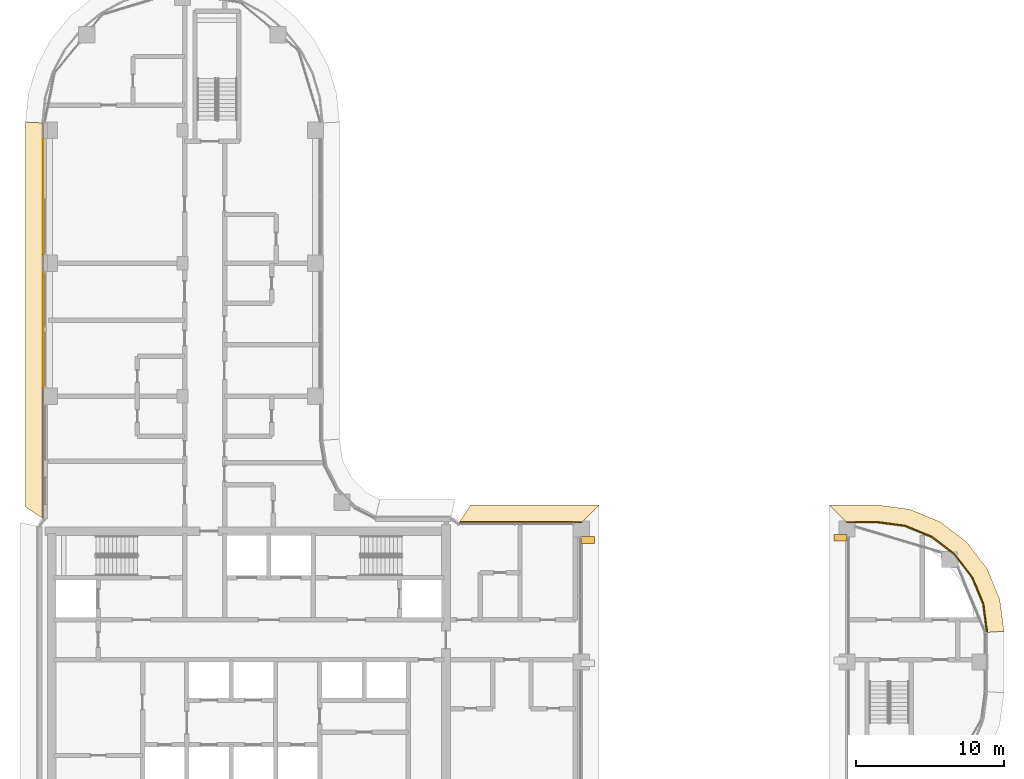
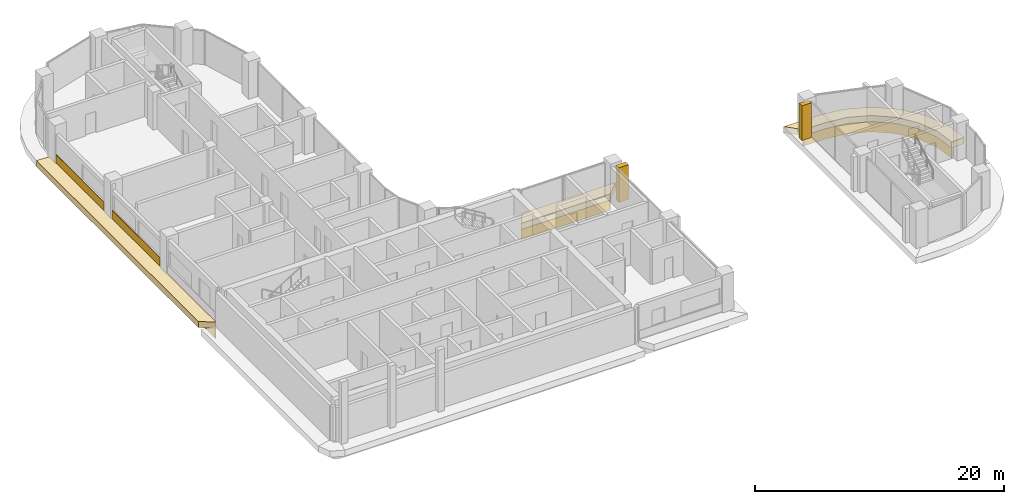
# One storey, part 21 of 24: 10 coverings.
"""IFC4 building model written with IfcOpenShell, lengths in metres."""

from ifc_helpers import new_model, si_unit, direction, frame, origin, origin_2d, place, context, subcontext, project, spatial, polyline, rectangle, outline, extrude, material, layer, layer_set, type_object, element, save


model = new_model("IFC4")

# Units and contexts
model_context = context("Model", 3, precision=1e-05, world=origin(), true_north=direction((0.0, 1.0)))
body_context = subcontext(model_context, "Body", "Model", "MODEL_VIEW")
ifc_project = project(units=[si_unit("LENGTHUNIT", "METRE"), si_unit("AREAUNIT", "SQUARE_METRE"), si_unit("VOLUMEUNIT", "CUBIC_METRE"), si_unit("PLANEANGLEUNIT", "RADIAN"), si_unit("MASSUNIT", "GRAM", prefix="KILO")], contexts=[model_context])

# Site, building, storey
site_placement = place(None, origin())
site = spatial("IfcSite", under=ifc_project, at=site_placement, CompositionType="ELEMENT")
building_placement = place(site_placement, origin())
building = spatial("IfcBuilding", under=site, at=building_placement, Name="Ogive Portal Towers", CompositionType="ELEMENT")
storey_placement = place(building_placement, frame((0.0, 0.0, 153.300048828125)))
storey = spatial("IfcBuildingStorey", under=building, at=storey_placement, Name="L37", CompositionType="ELEMENT", Elevation=153.300048828125)

# Coverings
ifc_material = material(Name="Limestone cladding on lightweight block wall", Category="masonry")
ifc_layer_1 = layer(ifc_material, 0.449951171875)
ifc_layer_set_1 = layer_set([ifc_layer_1], Name="BUTTRESS PIER STONE")
covering_type_1 = type_object("IfcCoveringType", Name="BUTTRESS PIER STONE", PredefinedType="CLADDING", material=ifc_layer_set_1)
for number, where, z_axis, x_axis, name in (
    (1, (67.949951171875, 38.764892578125, 0.0), (0.0, 0.0, 1.0), (1.0, 0.0, 0.0), "Buttress pier A1-F13.3"),
    (2, (85.050048828125, 38.925048828125, 0.0), (0.0, 0.0, 1.0), (1.0, 0.0, 0.0), "Buttress pier A2-F01.2"),
):
    element("IfcCovering", number, at=place(storey_placement, frame(where, z_axis=z_axis, x_axis=x_axis)), inside=storey, type_object=covering_type_1, Name=name, PredefinedType="CLADDING", context=body_context, shape_type="SweptSolid", body=[
        extrude(rectangle(XDim=0.89990234375, YDim=0.449951171875, at=origin_2d()), origin(), (0.0, 0.0, 1.0), 3.39990234375),
    ])
ifc_layer_2 = layer(ifc_material, 0.050048828125)
ifc_layer_set_2 = layer_set([ifc_layer_2], Name="SCREEN PERFORATED STONE")
covering_type_2 = type_object("IfcCoveringType", Name="SCREEN PERFORATED STONE", PredefinedType="CLADDING", material=ifc_layer_set_2)
for number, where, z_axis, x_axis, name in (
    (3, (31.050048828125, 62.0, 0.10009765625), (0.0, 0.0, 1.0), (0.0, -1.0, 0.0), "Tracery screen"),
    (4, (31.050048828125, 53.0, 0.10009765625), (0.0, 0.0, 1.0), (0.0, -1.0, 0.0), "Tracery screen"),
):
    element("IfcCovering", number, at=place(storey_placement, frame(where, z_axis=z_axis, x_axis=x_axis)), inside=storey, type_object=covering_type_2, Name=name, PredefinedType="CLADDING", context=body_context, shape_type="SweptSolid", body=[
        extrude(rectangle(XDim=7.699951171875, YDim=0.050048828125, at=origin_2d()), origin(), (0.0, 0.0, 1.0), 0.800048828125),
    ])
ifc_layer_3 = layer(ifc_material, 0.080078125)
ifc_layer_set_3 = layer_set([ifc_layer_3], Name="STONE SPANDREL 80")
covering_type_3 = type_object("IfcCoveringType", Name="STONE SPANDREL 80", PredefinedType="CLADDING", material=ifc_layer_set_3)
covering_1_placement = place(storey_placement, frame((0.0, 0.0, -1.60009765625)))
element("IfcCovering", 5, at=covering_1_placement, inside=storey, type_object=covering_type_3, Name="Stone spandrel A1-F06", PredefinedType="CLADDING", context=body_context, shape_type="SweptSolid", body=[
    extrude(outline(polyline([(31.074951171875, 67.0), (31.074951171875, 40.206787109375), (30.9951171875, 40.26025390625), (30.9951171875, 67.00390625), (31.074951171875, 67.0)])), origin(), (0.0, 0.0, 1.0), 1.0),
])
covering_2_placement = place(storey_placement, frame((0.0, 0.0, -1.60009765625)))
element("IfcCovering", 6, at=covering_2_placement, inside=storey, type_object=covering_type_3, Name="Stone spandrel A1-F14", PredefinedType="CLADDING", context=body_context, shape_type="SweptSolid", body=[
    extrude(outline(polyline([(67.5, 39.925048828125), (59.206787109375, 39.925048828125), (59.26025390625, 40.0048828125), (67.580078125, 40.0048828125), (67.5, 39.925048828125)])), origin(), (0.0, 0.0, 1.0), 1.0),
])
covering_3_placement = place(storey_placement, frame((0.0, 0.0, -1.60009765625)))
element("IfcCovering", 7, at=covering_3_placement, inside=storey, type_object=covering_type_3, Name="Stone spandrel A2-F04", PredefinedType="CLADDING", context=body_context, shape_type="SweptSolid", body=[
    extrude(outline(polyline([(94.925048828125, 32.5), (94.672119140625, 34.421630859375), (93.93017578125, 36.21240234375), (92.750244140625, 37.750244140625), (91.21240234375, 38.93017578125), (89.421630859375, 39.672119140625), (87.5, 39.925048828125), (85.5, 39.925048828125), (85.419921875, 40.0048828125), (87.505126953125, 40.0048828125), (89.442626953125, 39.75), (91.2529296875, 39.0), (92.807373046875, 37.807373046875), (94.0, 36.2529296875), (94.75, 34.442626953125), (95.0048828125, 32.505126953125), (94.925048828125, 32.5)])), origin(), (0.0, 0.0, 1.0), 1.0),
])
ifc_layer_4 = layer(ifc_material, 0.60009765625)
ifc_layer_set_4 = layer_set([ifc_layer_4], Name="SUNSHADE LIP 600")
covering_type_4 = type_object("IfcCoveringType", Name="SUNSHADE LIP 600", PredefinedType="CLADDING", material=ifc_layer_set_4)
covering_4_placement = place(storey_placement, frame((0.0, 0.0, -0.60009765625)))
element("IfcCovering", 8, at=covering_4_placement, inside=storey, type_object=covering_type_4, Name="Sunshade lip A1-F06", PredefinedType="CLADDING", context=body_context, shape_type="SweptSolid", body=[
    extrude(outline(polyline([(31.074951171875, 67.0), (31.074951171875, 40.206787109375), (29.875, 41.008544921875), (29.875, 67.058837890625), (31.074951171875, 67.0)])), origin(), (0.0, 0.0, 1.0), 0.60009765625),
])
covering_5_placement = place(storey_placement, frame((0.0, 0.0, -0.60009765625)))
element("IfcCovering", 9, at=covering_5_placement, inside=storey, type_object=covering_type_4, Name="Sunshade lip A1-F14", PredefinedType="CLADDING", context=body_context, shape_type="SweptSolid", body=[
    extrude(outline(polyline([(67.5, 39.925048828125), (59.206787109375, 39.925048828125), (60.008544921875, 41.125), (68.699951171875, 41.125), (67.5, 39.925048828125)])), origin(), (0.0, 0.0, 1.0), 0.60009765625),
])
covering_6_placement = place(storey_placement, frame((0.0, 0.0, -0.60009765625)))
element("IfcCovering", 10, at=covering_6_placement, inside=storey, type_object=covering_type_4, Name="Sunshade lip A2-F04", PredefinedType="CLADDING", context=body_context, shape_type="SweptSolid", body=[
    extrude(outline(polyline([(94.925048828125, 32.5), (94.672119140625, 34.421630859375), (93.93017578125, 36.21240234375), (92.750244140625, 37.750244140625), (91.21240234375, 38.93017578125), (89.421630859375, 39.672119140625), (87.5, 39.925048828125), (85.5, 39.925048828125), (84.300048828125, 41.125), (87.57861328125, 41.125), (89.735107421875, 40.841064453125), (91.817626953125, 39.978515625), (93.606201171875, 38.606201171875), (94.978515625, 36.817626953125), (95.841064453125, 34.735107421875), (96.125, 32.57861328125), (94.925048828125, 32.5)])), origin(), (0.0, 0.0, 1.0), 0.60009765625),
])

save(model, "model.ifc")
